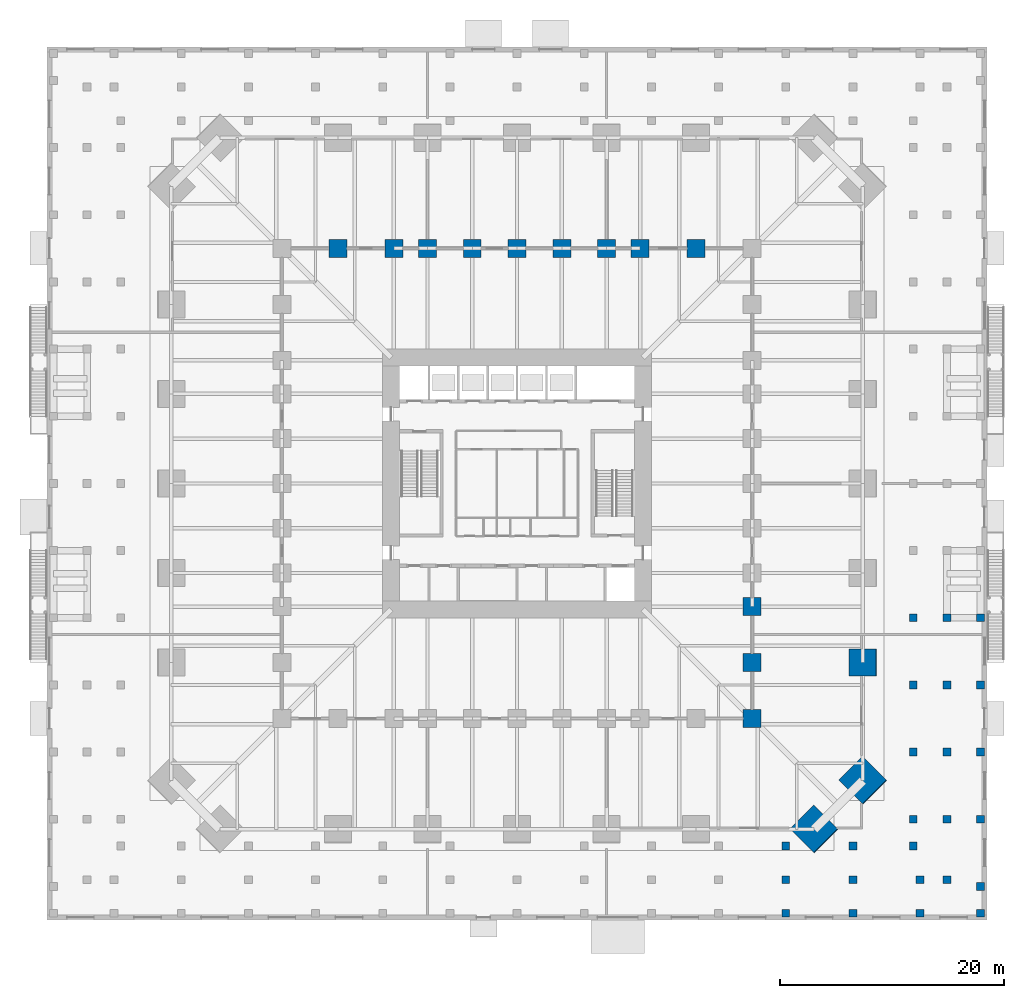
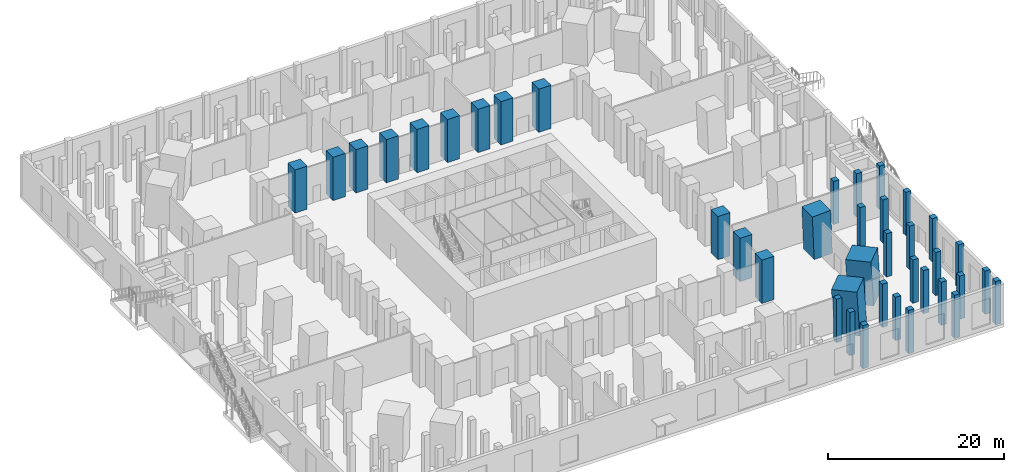
# One storey, part 5 of 20: 39 columns.
"""IFC4 building model written with IfcOpenShell, lengths in metres."""

from ifc_helpers import new_model, si_unit, direction, frame, origin, origin_2d, place, context, subcontext, project, spatial, rectangle, extrude, material, material_profile, profile_set, type_object, element, save


model = new_model("IFC4")

# Units and contexts
model_context = context("Model", 3, precision=1e-05, world=origin(), true_north=direction((0.0, 1.0)))
body_context = subcontext(model_context, "Body", "Model", "MODEL_VIEW")
ifc_project = project(units=[si_unit("LENGTHUNIT", "METRE"), si_unit("AREAUNIT", "SQUARE_METRE"), si_unit("VOLUMEUNIT", "CUBIC_METRE"), si_unit("PLANEANGLEUNIT", "RADIAN"), si_unit("MASSUNIT", "GRAM", prefix="KILO")], contexts=[model_context])

# Site, building, storey
site_placement = place(None, origin())
site = spatial("IfcSite", under=ifc_project, at=site_placement, CompositionType="ELEMENT")
building_placement = place(site_placement, origin())
building = spatial("IfcBuilding", under=site, at=building_placement, Name="Peilmerk Tower", CompositionType="ELEMENT")
storey_placement = place(building_placement, origin())
storey = spatial("IfcBuildingStorey", under=building, at=storey_placement, Name="L00", CompositionType="ELEMENT", Elevation=0.0)

# Columns
ifc_material_1 = material(Name="Concrete C90/105", Category="concrete")
ifc_material_profile_1 = material_profile(ifc_material_1, rectangle(XDim=3.0, YDim=3.0, at=origin_2d()), Name="RC 3000x3000")
ifc_profile_set_1 = profile_set([ifc_material_profile_1], Name="Concrete C90/105")
column_type_1 = type_object("IfcColumnType", Name="MC1 3000x3000 encased mega column", PredefinedType="COLUMN", material=ifc_profile_set_1)
for number, where, z_axis, x_axis, name in (
    (1, (30.896728515625, -26.546875, 0.0), (-0.040258485407, 0.040258485407, 0.998377938811), (-0.707106781187, -0.707106781187, 0.0), "Mega column MC1 SE_E L00"),
    (2, (26.546875, -30.896728515625, 0.0), (-0.040258485407, 0.040258485407, 0.998377938811), (-0.707106781187, -0.707106781187, 0.0), "Mega column MC1 SE_S L00"),
):
    element("IfcColumn", number, at=place(storey_placement, frame(where, z_axis=z_axis, x_axis=x_axis)), inside=storey, type_object=column_type_1, Name=name, PredefinedType="COLUMN", context=body_context, shape_type="SweptSolid", body=[
        extrude(rectangle(XDim=3.0, YDim=3.0, at=origin_2d()), origin(), (0.0, 0.0, 1.0), 6.009765625),
    ])
ifc_material_2 = material(Name="Concrete C55/67", Category="concrete")
ifc_material_profile_2 = material_profile(ifc_material_2, rectangle(XDim=0.699951171875, YDim=0.699951171875, at=origin_2d()), Name="RC 700x700")
ifc_profile_set_2 = profile_set([ifc_material_profile_2], Name="Concrete C55/67")
column_type_2 = type_object("IfcColumnType", Name="PC1 700x700 podium column", PredefinedType="COLUMN", material=ifc_profile_set_2)
for number, where, z_axis, x_axis, name in (
    (3, (24.0, -32.39990234375, 0.0), (0.0, 0.0, 1.0), (1.0, 0.0, 0.0), "Podium column ring A L00"),
    (4, (30.0, -32.39990234375, 0.0), (0.0, 0.0, 1.0), (1.0, 0.0, 0.0), "Podium column ring A L00"),
    (5, (35.39990234375, -32.39990234375, 0.0), (0.0, 0.0, 1.0), (1.0, 0.0, 0.0), "Podium column ring A L00"),
    (6, (35.39990234375, -30.0, 0.0), (0.0, 0.0, 1.0), (1.0, 0.0, 0.0), "Podium column ring A L00"),
    (7, (35.39990234375, -24.0, 0.0), (0.0, 0.0, 1.0), (1.0, 0.0, 0.0), "Podium column ring A L00"),
    (8, (35.39990234375, -18.0, 0.0), (0.0, 0.0, 1.0), (1.0, 0.0, 0.0), "Podium column ring A L00"),
    (9, (35.39990234375, -12.0, 0.0), (0.0, 0.0, 1.0), (1.0, 0.0, 0.0), "Podium column ring A L00"),
    (10, (24.0, -35.39990234375, 0.0), (0.0, 0.0, 1.0), (1.0, 0.0, 0.0), "Podium column ring B L00"),
    (11, (30.0, -35.39990234375, 0.0), (0.0, 0.0, 1.0), (1.0, 0.0, 0.0), "Podium column ring B L00"),
    (12, (36.0, -35.39990234375, 0.0), (0.0, 0.0, 1.0), (1.0, 0.0, 0.0), "Podium column ring B L00"),
    (13, (38.39990234375, -35.39990234375, 0.0), (0.0, 0.0, 1.0), (1.0, 0.0, 0.0), "Podium column ring B L00"),
    (14, (38.39990234375, -30.0, 0.0), (0.0, 0.0, 1.0), (1.0, 0.0, 0.0), "Podium column ring B L00"),
    (15, (38.39990234375, -24.0, 0.0), (0.0, 0.0, 1.0), (1.0, 0.0, 0.0), "Podium column ring B L00"),
    (16, (38.39990234375, -18.0, 0.0), (0.0, 0.0, 1.0), (1.0, 0.0, 0.0), "Podium column ring B L00"),
    (17, (38.39990234375, -12.0, 0.0), (0.0, 0.0, 1.0), (1.0, 0.0, 0.0), "Podium column ring B L00"),
    (18, (24.0, -38.39990234375, 0.0), (0.0, 0.0, 1.0), (1.0, 0.0, 0.0), "Podium column ring C L00"),
    (19, (30.0, -38.39990234375, 0.0), (0.0, 0.0, 1.0), (1.0, 0.0, 0.0), "Podium column ring C L00"),
    (20, (36.0, -38.39990234375, 0.0), (0.0, 0.0, 1.0), (1.0, 0.0, 0.0), "Podium column ring C L00"),
    (21, (41.39990234375, -38.39990234375, 0.0), (0.0, 0.0, 1.0), (1.0, 0.0, 0.0), "Podium column ring C L00"),
    (22, (41.39990234375, -36.0, 0.0), (0.0, 0.0, 1.0), (1.0, 0.0, 0.0), "Podium column ring C L00"),
    (23, (41.39990234375, -30.0, 0.0), (0.0, 0.0, 1.0), (1.0, 0.0, 0.0), "Podium column ring C L00"),
    (24, (41.39990234375, -24.0, 0.0), (0.0, 0.0, 1.0), (1.0, 0.0, 0.0), "Podium column ring C L00"),
    (25, (41.39990234375, -18.0, 0.0), (0.0, 0.0, 1.0), (1.0, 0.0, 0.0), "Podium column ring C L00"),
    (26, (41.39990234375, -12.0, 0.0), (0.0, 0.0, 1.0), (1.0, 0.0, 0.0), "Podium column ring C L00"),
):
    element("IfcColumn", number, at=place(storey_placement, frame(where, z_axis=z_axis, x_axis=x_axis)), inside=storey, type_object=column_type_2, Name=name, PredefinedType="COLUMN", context=body_context, shape_type="SweptSolid", body=[
        extrude(rectangle(XDim=0.699951171875, YDim=0.699951171875, at=origin_2d()), origin(), (0.0, 0.0, 1.0), 6.0),
    ])
ifc_material_profile_3 = material_profile(ifc_material_1, rectangle(XDim=2.39990234375, YDim=2.39990234375, at=origin_2d()), Name="RC 2400x2400")
ifc_profile_set_3 = profile_set([ifc_material_profile_3], Name="Concrete C90/105")
column_type_3 = type_object("IfcColumnType", Name="SC1 2400x2400 encased perimeter column", PredefinedType="COLUMN", material=ifc_profile_set_3)
column_placement = place(storey_placement, frame((30.896728515625, -16.0, 0.0), z_axis=(-0.0402911495, 0.0, 0.999187981949), x_axis=(0.0, -1.0, 0.0)))
element("IfcColumn", 27, at=column_placement, inside=storey, type_object=column_type_3, Name="Perimeter column E-16 L00", PredefinedType="COLUMN", context=body_context, shape_type="SweptSolid", body=[
    extrude(rectangle(XDim=2.39990234375, YDim=2.39990234375, at=origin_2d()), origin(), (0.0, 0.0, 1.0), 6.0048828125),
])
ifc_material_profile_4 = material_profile(ifc_material_1, rectangle(XDim=1.60009765625, YDim=1.60009765625, at=origin_2d()), Name="RC 1600x1600")
ifc_profile_set_4 = profile_set([ifc_material_profile_4], Name="Concrete C90/105")
column_type_4 = type_object("IfcColumnType", Name="SC2 1600x1600 encased interior column", PredefinedType="COLUMN", material=ifc_profile_set_4)
for number, where, z_axis, x_axis, name in (
    (28, (0.0, 21.0, 0.0), (0.0, 0.0, 1.0), (1.0, 0.0, 0.0), "Interior column N+0 L00"),
    (29, (4.0, 21.0, 0.0), (0.0, 0.0, 1.0), (1.0, 0.0, 0.0), "Interior column N-4 L00"),
    (30, (-4.0, 21.0, 0.0), (0.0, 0.0, 1.0), (1.0, 0.0, 0.0), "Interior column N+4 L00"),
    (31, (8.0, 21.0, 0.0), (0.0, 0.0, 1.0), (1.0, 0.0, 0.0), "Interior column N-8 L00"),
    (32, (-8.0, 21.0, 0.0), (0.0, 0.0, 1.0), (1.0, 0.0, 0.0), "Interior column N+8 L00"),
    (33, (11.0, 21.0, 0.0), (0.0, 0.0, 1.0), (1.0, 0.0, 0.0), "Interior column N-11 L00"),
    (34, (-11.0, 21.0, 0.0), (0.0, 0.0, 1.0), (1.0, 0.0, 0.0), "Interior column N+11 L00"),
    (35, (16.0, 21.0, 0.0), (0.0, 0.0, 1.0), (1.0, 0.0, 0.0), "Interior column N-16 L00"),
    (36, (-16.0, 21.0, 0.0), (0.0, 0.0, 1.0), (1.0, 0.0, 0.0), "Interior column N+16 L00"),
    (37, (21.0, -11.0, 0.0), (0.0, 0.0, 1.0), (1.0, 0.0, 0.0), "Interior column E-11 L00"),
    (38, (21.0, -16.0, 0.0), (0.0, 0.0, 1.0), (1.0, 0.0, 0.0), "Interior column E-16 L00"),
    (39, (21.0, -21.0, 0.0), (0.0, 0.0, 1.0), (1.0, 0.0, 0.0), "Interior column SE L00"),
):
    element("IfcColumn", number, at=place(storey_placement, frame(where, z_axis=z_axis, x_axis=x_axis)), inside=storey, type_object=column_type_4, Name=name, PredefinedType="COLUMN", context=body_context, shape_type="SweptSolid", body=[
        extrude(rectangle(XDim=1.60009765625, YDim=1.60009765625, at=origin_2d()), origin(), (0.0, 0.0, 1.0), 6.0),
    ])

save(model, "model.ifc")
